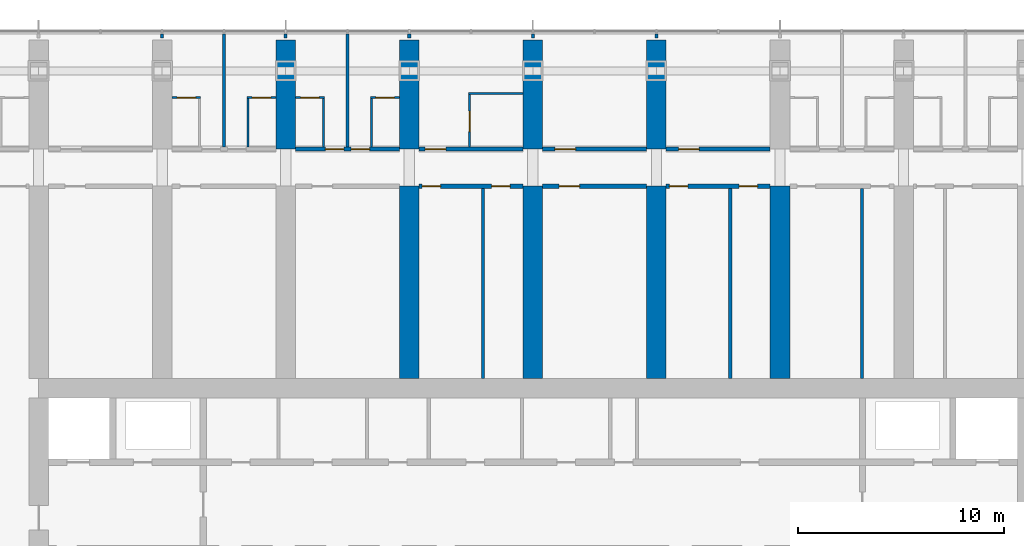
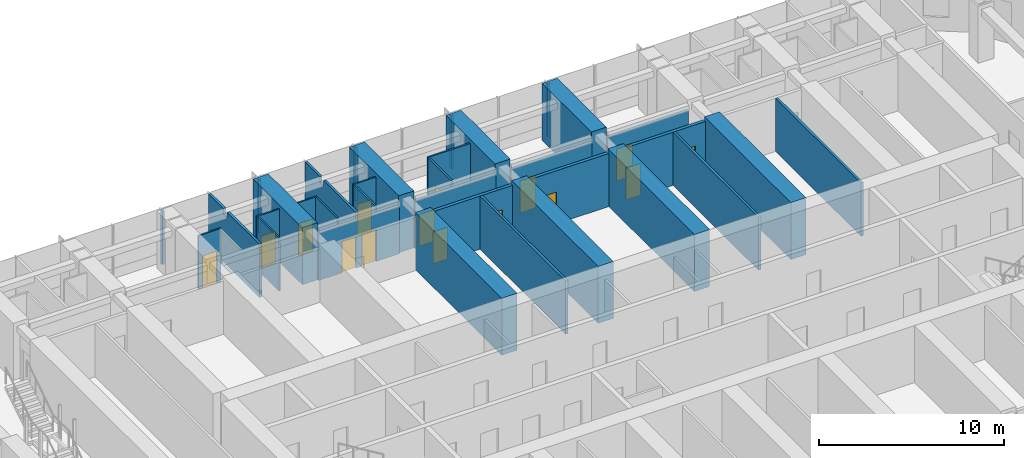
# One storey, part 16 of 25: 34 walls, 15 doors, 15 openings.
"""IFC4 building model written with IfcOpenShell, lengths in metres."""

from ifc_helpers import new_model, si_unit, direction, frame, frame_2d, origin, place, context, subcontext, project, spatial, polyline, rectangle, outline, extrude, material, layer, layer_set, type_object, element, fill, save


model = new_model("IFC4")

# Units and contexts
model_context = context("Model", 3, precision=1e-05, world=origin(), true_north=direction((0.0, 1.0)))
body_context = subcontext(model_context, "Body", "Model", "MODEL_VIEW")
ifc_project = project(units=[si_unit("LENGTHUNIT", "METRE"), si_unit("AREAUNIT", "SQUARE_METRE"), si_unit("VOLUMEUNIT", "CUBIC_METRE"), si_unit("PLANEANGLEUNIT", "RADIAN"), si_unit("MASSUNIT", "GRAM", prefix="KILO")], contexts=[model_context])

# Site, building, storey
site_placement = place(None, origin())
site = spatial("IfcSite", under=ifc_project, at=site_placement, CompositionType="ELEMENT")
building_placement = place(site_placement, origin())
building = spatial("IfcBuilding", under=site, at=building_placement, Name="Orbita Commons", CompositionType="ELEMENT")
storey_placement = place(building_placement, frame((0.0, 0.0, 84.39990234375)))
storey = spatial("IfcBuildingStorey", under=building, at=storey_placement, Name="L20", CompositionType="ELEMENT", Elevation=84.39990234375)

# Wall, openings, doors
ifc_material_1 = material(Name="Concrete blockwork", Category="masonry")
ifc_layer_1 = layer(ifc_material_1, 0.199951171875)
ifc_layer_set_1 = layer_set([ifc_layer_1], Name="Concrete blockwork")
wall_type_1 = type_object("IfcWallType", Name="Corridor wall 200 blockwork", PredefinedType="SOLIDWALL", material=ifc_layer_set_1)
wall_1_placement = place(storey_placement, frame((30.47509765625, 49.800048828125, 0.0), z_axis=(0.0, 0.0, 1.0), x_axis=(1.0, 0.0, 0.0)))
wall_1 = element("IfcWall", 1, at=wall_1_placement, inside=storey, type_object=wall_type_1, Name="Corridor wall 200 blockwork L20", PredefinedType="SOLIDWALL", context=body_context, shape_type="SweptSolid", body=[
    extrude(outline(polyline([(0.0, 0.0), (5.0498046875, 0.0), (5.050048828125, 3.10009765625), (0.0, 3.10009765625), (0.0, 0.0)])), frame((0.0, 0.10009765625, 0.0), z_axis=(0.0, -1.0, 0.0), x_axis=(1.0, 0.0, 0.0)), (0.0, 0.0, 1.0), 0.199951171875),
])
opening_1_placement = place(wall_1_placement, frame((1.449951171875, 0.0, 0.0)))
opening_1 = element("IfcOpeningElement", 2, at=opening_1_placement, cuts=wall_1, Name="Opening D11", PredefinedType="OPENING", context=body_context, shape_type="SweptSolid", body=[
    extrude(rectangle(XDim=0.89990234375, YDim=2.10009765625, at=frame_2d((0.449951171875, 1.050048828125))), frame((0.0, 0.10986328125, 0.0), z_axis=(0.0, -1.0, 0.0), x_axis=(1.0, 0.0, 0.0)), (0.0, 0.0, 1.0), 0.219970703125),
])
opening_2_placement = place(wall_1_placement, frame((2.699951171875, 0.0, 0.0)))
opening_2 = element("IfcOpeningElement", 3, at=opening_2_placement, cuts=wall_1, Name="Opening D11", PredefinedType="OPENING", context=body_context, shape_type="SweptSolid", body=[
    extrude(rectangle(XDim=0.89990234375, YDim=2.10009765625, at=frame_2d((0.449951171875, 1.050048828125))), frame((0.0, 0.10986328125, 0.0), z_axis=(0.0, -1.0, 0.0), x_axis=(1.0, 0.0, 0.0)), (0.0, 0.0, 1.0), 0.219970703125),
])
ifc_material_2 = material(Name="Steel-faced fire door leaf", Category="steel")
door_type_1 = type_object("IfcDoorType", Name="Corridor door 20 min 900x2100", OperationType="SINGLE_SWING_LEFT", PredefinedType="DOOR", material=ifc_material_2)
door_1_placement = place(opening_1_placement, origin())
door_1 = element("IfcDoor", 4, at=door_1_placement, inside=storey, type_object=door_type_1, Name="Cluster bedroom L20-N06 door", OperationType="SINGLE_SWING_LEFT", OverallHeight=2.10009765625, OverallWidth=0.89990234375, PredefinedType="DOOR", context=body_context, shape_type="SweptSolid", body=[
    extrude(rectangle(XDim=0.89990234375, YDim=2.10009765625, at=frame_2d((0.449951171875, 1.050048828125))), frame((0.0, 0.02490234375, 0.0), z_axis=(0.0, -1.0, 0.0), x_axis=(1.0, 0.0, 0.0)), (0.0, 0.0, 1.0), 0.050048828125),
])
fill(opening_1, door_1)
door_2_placement = place(opening_2_placement, origin())
door_2 = element("IfcDoor", 5, at=door_2_placement, inside=storey, type_object=door_type_1, Name="Cluster bedroom L20-N07 door", OperationType="SINGLE_SWING_LEFT", OverallHeight=2.10009765625, OverallWidth=0.89990234375, PredefinedType="DOOR", context=body_context, shape_type="SweptSolid", body=[
    extrude(rectangle(XDim=0.89990234375, YDim=2.10009765625, at=frame_2d((0.449951171875, 1.050048828125))), frame((0.0, 0.02490234375, 0.0), z_axis=(0.0, -1.0, 0.0), x_axis=(1.0, 0.0, 0.0)), (0.0, 0.0, 1.0), 0.050048828125),
])
fill(opening_2, door_2)

# Wall, opening, door
wall_2_placement = place(storey_placement, frame((36.47509765625, 49.800048828125, 0.0), z_axis=(0.0, 0.0, 1.0), x_axis=(1.0, 0.0, 0.0)))
wall_2 = element("IfcWall", 6, at=wall_2_placement, inside=storey, type_object=wall_type_1, Name="Corridor wall 200 blockwork L20", PredefinedType="SOLIDWALL", context=body_context, shape_type="SweptSolid", body=[
    extrude(outline(polyline([(0.0, 0.0), (5.0498046875, 0.0), (5.050048828125, 3.10009765625), (0.0, 3.10009765625), (0.0, 0.0)])), frame((0.0, 0.10009765625, 0.0), z_axis=(0.0, -1.0, 0.0), x_axis=(1.0, 0.0, 0.0)), (0.0, 0.0, 1.0), 0.199951171875),
])
opening_3_placement = place(wall_2_placement, frame((0.300048828125, 0.0, 0.0)))
opening_3 = element("IfcOpeningElement", 7, at=opening_3_placement, cuts=wall_2, Name="Opening D06", PredefinedType="OPENING", context=body_context, shape_type="SweptSolid", body=[
    extrude(rectangle(XDim=1.0, YDim=2.10009765625, at=frame_2d((0.5, 1.050048828125))), frame((0.0, 0.10986328125, 0.0), z_axis=(0.0, -1.0, 0.0), x_axis=(1.0, 0.0, 0.0)), (0.0, 0.0, 1.0), 0.219970703125),
])
ifc_material_3 = material(Name="Steel-faced fire door leaf", Category="steel")
door_type_2 = type_object("IfcDoorType", Name="Corridor door 20 min 1000x2100", OperationType="SINGLE_SWING_LEFT", PredefinedType="DOOR", material=ifc_material_3)
door_3_placement = place(opening_3_placement, origin())
door_3 = element("IfcDoor", 8, at=door_3_placement, inside=storey, type_object=door_type_2, Name="Accessible bedroom L20-N08 door", OperationType="SINGLE_SWING_LEFT", OverallHeight=2.10009765625, OverallWidth=1.0, PredefinedType="DOOR", context=body_context, shape_type="SweptSolid", body=[
    extrude(rectangle(XDim=1.0, YDim=2.10009765625, at=frame_2d((0.5, 1.050048828125))), frame((0.0, 0.02490234375, 0.0), z_axis=(0.0, -1.0, 0.0), x_axis=(1.0, 0.0, 0.0)), (0.0, 0.0, 1.0), 0.050048828125),
])
fill(opening_3, door_3)

wall_3_placement = place(storey_placement, frame((42.47509765625, 49.800048828125, 0.0), z_axis=(0.0, 0.0, 1.0), x_axis=(1.0, 0.0, 0.0)))
wall_3 = element("IfcWall", 9, at=wall_3_placement, inside=storey, type_object=wall_type_1, Name="Corridor wall 200 blockwork L20", PredefinedType="SOLIDWALL", context=body_context, shape_type="SweptSolid", body=[
    extrude(outline(polyline([(0.0, 0.0), (5.0498046875, 0.0), (5.050048828125, 3.10009765625), (0.0, 3.10009765625), (0.0, 0.0)])), frame((0.0, 0.10009765625, 0.0), z_axis=(0.0, -1.0, 0.0), x_axis=(1.0, 0.0, 0.0)), (0.0, 0.0, 1.0), 0.199951171875),
])
opening_4_placement = place(wall_3_placement, frame((0.60009765625, 0.0, 0.0)))
opening_4 = element("IfcOpeningElement", 10, at=opening_4_placement, cuts=wall_3, Name="Opening D06", PredefinedType="OPENING", context=body_context, shape_type="SweptSolid", body=[
    extrude(rectangle(XDim=1.0, YDim=2.10009765625, at=frame_2d((0.5, 1.050048828125))), frame((0.0, 0.10986328125, 0.0), z_axis=(0.0, -1.0, 0.0), x_axis=(1.0, 0.0, 0.0)), (0.0, 0.0, 1.0), 0.219970703125),
])
door_4_placement = place(opening_4_placement, origin())
door_4 = element("IfcDoor", 11, at=door_4_placement, inside=storey, type_object=door_type_2, Name="Sea-view lounge L20-N10 door", OperationType="SINGLE_SWING_LEFT", OverallHeight=2.10009765625, OverallWidth=1.0, PredefinedType="DOOR", context=body_context, shape_type="SweptSolid", body=[
    extrude(rectangle(XDim=1.0, YDim=2.10009765625, at=frame_2d((0.5, 1.050048828125))), frame((0.0, 0.02490234375, 0.0), z_axis=(0.0, -1.0, 0.0), x_axis=(1.0, 0.0, 0.0)), (0.0, 0.0, 1.0), 0.050048828125),
])
fill(opening_4, door_4)

wall_4_placement = place(storey_placement, frame((48.47509765625, 49.800048828125, 0.0), z_axis=(0.0, 0.0, 1.0), x_axis=(1.0, 0.0, 0.0)))
wall_4 = element("IfcWall", 12, at=wall_4_placement, inside=storey, type_object=wall_type_1, Name="Corridor wall 200 blockwork L20", PredefinedType="SOLIDWALL", context=body_context, shape_type="SweptSolid", body=[
    extrude(outline(polyline([(0.0, 0.0), (5.0498046875, 0.0), (5.050048828125, 3.10009765625), (0.0, 3.10009765625), (0.0, 0.0)])), frame((0.0, 0.10009765625, 0.0), z_axis=(0.0, -1.0, 0.0), x_axis=(1.0, 0.0, 0.0)), (0.0, 0.0, 1.0), 0.199951171875),
])
opening_5_placement = place(wall_4_placement, frame((0.60009765625, 0.0, 0.0)))
opening_5 = element("IfcOpeningElement", 13, at=opening_5_placement, cuts=wall_4, Name="Opening D06", PredefinedType="OPENING", context=body_context, shape_type="SweptSolid", body=[
    extrude(rectangle(XDim=1.0, YDim=2.10009765625, at=frame_2d((0.5, 1.050048828125))), frame((0.0, 0.10986328125, 0.0), z_axis=(0.0, -1.0, 0.0), x_axis=(1.0, 0.0, 0.0)), (0.0, 0.0, 1.0), 0.219970703125),
])
door_5_placement = place(opening_5_placement, origin())
door_5 = element("IfcDoor", 14, at=door_5_placement, inside=storey, type_object=door_type_2, Name="Cluster kitchen-diner L20-N12 door", OperationType="SINGLE_SWING_LEFT", OverallHeight=2.10009765625, OverallWidth=1.0, PredefinedType="DOOR", context=body_context, shape_type="SweptSolid", body=[
    extrude(rectangle(XDim=1.0, YDim=2.10009765625, at=frame_2d((0.5, 1.050048828125))), frame((0.0, 0.02490234375, 0.0), z_axis=(0.0, -1.0, 0.0), x_axis=(1.0, 0.0, 0.0)), (0.0, 0.0, 1.0), 0.050048828125),
])
fill(opening_5, door_5)

# Wall, openings, doors
ifc_material_4 = material(Name="Hollow concrete block 200", Category="concrete")
ifc_layer_2 = layer(ifc_material_4, 0.199951171875)
ifc_layer_set_2 = layer_set([ifc_layer_2], Name="Hollow concrete block 200")
wall_type_2 = type_object("IfcWallType", Name="Corridor wall 200 hollow concrete block", PredefinedType="SOLIDWALL", material=ifc_layer_set_2)
wall_5_placement = place(storey_placement, frame((36.47509765625, 48.0, 0.0), z_axis=(0.0, 0.0, 1.0), x_axis=(1.0, 0.0, 0.0)))
wall_5 = element("IfcWall", 15, at=wall_5_placement, inside=storey, type_object=wall_type_2, Name="Corridor wall 200 hollow concrete block L20", PredefinedType="SOLIDWALL", context=body_context, shape_type="SweptSolid", body=[
    extrude(rectangle(XDim=5.0498046875, YDim=0.199951171875, at=frame_2d((2.52490234375, 0.0))), origin(), (0.0, 0.0, 1.0), 3.5),
])
opening_6_placement = place(wall_5_placement, frame((0.14990234375, 0.0, 0.0)))
opening_6 = element("IfcOpeningElement", 16, at=opening_6_placement, cuts=wall_5, Name="Opening D11", PredefinedType="OPENING", context=body_context, shape_type="SweptSolid", body=[
    extrude(rectangle(XDim=0.89990234375, YDim=2.10009765625, at=frame_2d((0.449951171875, 1.050048828125))), frame((0.0, 0.10986328125, 0.0), z_axis=(0.0, -1.0, 0.0), x_axis=(1.0, 0.0, 0.0)), (0.0, 0.0, 1.0), 0.219970703125),
])
opening_7_placement = place(wall_5_placement, frame((3.52490234375, 0.0, 0.0)))
opening_7 = element("IfcOpeningElement", 17, at=opening_7_placement, cuts=wall_5, Name="Opening D11", PredefinedType="OPENING", context=body_context, shape_type="SweptSolid", body=[
    extrude(rectangle(XDim=0.89990234375, YDim=2.10009765625, at=frame_2d((0.449951171875, 1.050048828125))), frame((0.0, 0.10986328125, 0.0), z_axis=(0.0, -1.0, 0.0), x_axis=(1.0, 0.0, 0.0)), (0.0, 0.0, 1.0), 0.219970703125),
])
door_6_placement = place(opening_6_placement, origin())
door_6 = element("IfcDoor", 18, at=door_6_placement, inside=storey, type_object=door_type_1, Name="Furniture store L20-BDN36 door", OperationType="SINGLE_SWING_LEFT", OverallHeight=2.10009765625, OverallWidth=0.89990234375, PredefinedType="DOOR", context=body_context, shape_type="SweptSolid", body=[
    extrude(rectangle(XDim=0.89990234375, YDim=2.10009765625, at=frame_2d((0.449951171875, 1.050048828125))), frame((0.0, 0.02490234375, 0.0), z_axis=(0.0, -1.0, 0.0), x_axis=(1.0, 0.0, 0.0)), (0.0, 0.0, 1.0), 0.050048828125),
])
fill(opening_6, door_6)
door_7_placement = place(opening_7_placement, origin())
door_7 = element("IfcDoor", 19, at=door_7_placement, inside=storey, type_object=door_type_1, Name="Battery and UPS room L20-BDN36n door", OperationType="SINGLE_SWING_LEFT", OverallHeight=2.10009765625, OverallWidth=0.89990234375, PredefinedType="DOOR", context=body_context, shape_type="SweptSolid", body=[
    extrude(rectangle(XDim=0.89990234375, YDim=2.10009765625, at=frame_2d((0.449951171875, 1.050048828125))), frame((0.0, 0.02490234375, 0.0), z_axis=(0.0, -1.0, 0.0), x_axis=(1.0, 0.0, 0.0)), (0.0, 0.0, 1.0), 0.050048828125),
])
fill(opening_7, door_7)

# Wall, opening, door
wall_6_placement = place(storey_placement, frame((42.47509765625, 48.0, 0.0), z_axis=(0.0, 0.0, 1.0), x_axis=(1.0, 0.0, 0.0)))
wall_6 = element("IfcWall", 20, at=wall_6_placement, inside=storey, type_object=wall_type_2, Name="Corridor wall 200 hollow concrete block L20", PredefinedType="SOLIDWALL", context=body_context, shape_type="SweptSolid", body=[
    extrude(rectangle(XDim=5.0498046875, YDim=0.199951171875, at=frame_2d((2.52490234375, 0.0))), origin(), (0.0, 0.0, 1.0), 3.5),
])
opening_8_placement = place(wall_6_placement, frame((0.800048828125, 0.0, 0.0)))
opening_8 = element("IfcOpeningElement", 21, at=opening_8_placement, cuts=wall_6, Name="Opening D06", PredefinedType="OPENING", context=body_context, shape_type="SweptSolid", body=[
    extrude(rectangle(XDim=1.0, YDim=2.10009765625, at=frame_2d((0.5, 1.050048828125))), frame((0.0, 0.10986328125, 0.0), z_axis=(0.0, -1.0, 0.0), x_axis=(1.0, 0.0, 0.0)), (0.0, 0.0, 1.0), 0.219970703125),
])
door_8_placement = place(opening_8_placement, origin())
door_8 = element("IfcDoor", 22, at=door_8_placement, inside=storey, type_object=door_type_2, Name="Store L20-BDN42 door", OperationType="SINGLE_SWING_LEFT", OverallHeight=2.10009765625, OverallWidth=1.0, PredefinedType="DOOR", context=body_context, shape_type="SweptSolid", body=[
    extrude(rectangle(XDim=1.0, YDim=2.10009765625, at=frame_2d((0.5, 1.050048828125))), frame((0.0, 0.02490234375, 0.0), z_axis=(0.0, -1.0, 0.0), x_axis=(1.0, 0.0, 0.0)), (0.0, 0.0, 1.0), 0.050048828125),
])
fill(opening_8, door_8)

# Wall, openings, doors
wall_7_placement = place(storey_placement, frame((48.47509765625, 48.0, 0.0), z_axis=(0.0, 0.0, 1.0), x_axis=(1.0, 0.0, 0.0)))
wall_7 = element("IfcWall", 23, at=wall_7_placement, inside=storey, type_object=wall_type_2, Name="Corridor wall 200 hollow concrete block L20", PredefinedType="SOLIDWALL", context=body_context, shape_type="SweptSolid", body=[
    extrude(rectangle(XDim=5.0498046875, YDim=0.199951171875, at=frame_2d((2.52490234375, 0.0))), origin(), (0.0, 0.0, 1.0), 3.5),
])
opening_9_placement = place(wall_7_placement, frame((0.14990234375, 0.0, 0.0)))
opening_9 = element("IfcOpeningElement", 24, at=opening_9_placement, cuts=wall_7, Name="Opening D11", PredefinedType="OPENING", context=body_context, shape_type="SweptSolid", body=[
    extrude(rectangle(XDim=0.89990234375, YDim=2.10009765625, at=frame_2d((0.449951171875, 1.050048828125))), frame((0.0, 0.10986328125, 0.0), z_axis=(0.0, -1.0, 0.0), x_axis=(1.0, 0.0, 0.0)), (0.0, 0.0, 1.0), 0.219970703125),
])
opening_10_placement = place(wall_7_placement, frame((3.534912109375, 0.0, 0.0)))
opening_10 = element("IfcOpeningElement", 25, at=opening_10_placement, cuts=wall_7, Name="Opening D11", PredefinedType="OPENING", context=body_context, shape_type="SweptSolid", body=[
    extrude(rectangle(XDim=0.89990234375, YDim=2.10009765625, at=frame_2d((0.449951171875, 1.050048828125))), frame((0.0, 0.10986328125, 0.0), z_axis=(0.0, -1.0, 0.0), x_axis=(1.0, 0.0, 0.0)), (0.0, 0.0, 1.0), 0.219970703125),
])
door_9_placement = place(opening_9_placement, origin())
door_9 = element("IfcDoor", 26, at=door_9_placement, inside=storey, type_object=door_type_1, Name="Bulk and luggage store L20-BDN48 door", OperationType="SINGLE_SWING_LEFT", OverallHeight=2.10009765625, OverallWidth=0.89990234375, PredefinedType="DOOR", context=body_context, shape_type="SweptSolid", body=[
    extrude(rectangle(XDim=0.89990234375, YDim=2.10009765625, at=frame_2d((0.449951171875, 1.050048828125))), frame((0.0, 0.02490234375, 0.0), z_axis=(0.0, -1.0, 0.0), x_axis=(1.0, 0.0, 0.0)), (0.0, 0.0, 1.0), 0.050048828125),
])
fill(opening_9, door_9)
door_10_placement = place(opening_10_placement, origin())
door_10 = element("IfcDoor", 27, at=door_10_placement, inside=storey, type_object=door_type_1, Name="Sprinkler valve room L20-BDN48n door", OperationType="SINGLE_SWING_LEFT", OverallHeight=2.10009765625, OverallWidth=0.89990234375, PredefinedType="DOOR", context=body_context, shape_type="SweptSolid", body=[
    extrude(rectangle(XDim=0.89990234375, YDim=2.10009765625, at=frame_2d((0.449951171875, 1.050048828125))), frame((0.0, 0.02490234375, 0.0), z_axis=(0.0, -1.0, 0.0), x_axis=(1.0, 0.0, 0.0)), (0.0, 0.0, 1.0), 0.050048828125),
])
fill(opening_10, door_10)

# Walls
ifc_material_5 = material(Name="Concrete C50/60", Category="concrete")
ifc_layer_3 = layer(ifc_material_5, 0.949951171875)
ifc_layer_set_3 = layer_set([ifc_layer_3], Name="Concrete C50/60")
wall_type_3 = type_object("IfcWallType", Name="Cross wall 950 C50/60", PredefinedType="SHEAR", material=ifc_layer_set_3)
for number, where, z_axis, x_axis, name in (
    (28, (30.0, 49.800048828125, 0.0), (0.0, 0.0, 1.0), (0.0, 1.0, 0.0), "Cross wall 6 north outer L20"),
    (29, (36.0, 49.800048828125, 0.0), (0.0, 0.0, 1.0), (0.0, 1.0, 0.0), "Cross wall 7 north outer L20"),
):
    element("IfcWall", number, at=place(storey_placement, frame(where, z_axis=z_axis, x_axis=x_axis)), inside=storey, type_object=wall_type_3, Name=name, PredefinedType="SHEAR", context=body_context, shape_type="SweptSolid", body=[
        extrude(rectangle(XDim=5.300048828125, YDim=0.949951171875, at=frame_2d((2.64990234375, 0.0))), origin(), (0.0, 0.0, 1.0), 3.75),
    ])
wall_8_placement = place(storey_placement, frame((36.0, 38.675048828125, 0.0), z_axis=(0.0, 0.0, 1.0), x_axis=(0.0, 1.0, 0.0)))
element("IfcWall", 30, at=wall_8_placement, inside=storey, type_object=wall_type_3, Name="Cross wall 7 north inner L20", PredefinedType="SHEAR", context=body_context, shape_type="SweptSolid", body=[
    extrude(rectangle(XDim=9.324951171875, YDim=0.949951171875, at=frame_2d((4.66259765625, 0.0))), origin(), (0.0, 0.0, 1.0), 3.75),
])
wall_9_placement = place(storey_placement, frame((42.0, 49.800048828125, 0.0), z_axis=(0.0, 0.0, 1.0), x_axis=(0.0, 1.0, 0.0)))
element("IfcWall", 31, at=wall_9_placement, inside=storey, type_object=wall_type_3, Name="Cross wall 8 north outer L20", PredefinedType="SHEAR", context=body_context, shape_type="SweptSolid", body=[
    extrude(rectangle(XDim=5.300048828125, YDim=0.949951171875, at=frame_2d((2.64990234375, 0.0))), origin(), (0.0, 0.0, 1.0), 3.75),
])
wall_10_placement = place(storey_placement, frame((42.0, 38.675048828125, 0.0), z_axis=(0.0, 0.0, 1.0), x_axis=(0.0, 1.0, 0.0)))
element("IfcWall", 32, at=wall_10_placement, inside=storey, type_object=wall_type_3, Name="Cross wall 8 north inner L20", PredefinedType="SHEAR", context=body_context, shape_type="SweptSolid", body=[
    extrude(rectangle(XDim=9.324951171875, YDim=0.949951171875, at=frame_2d((4.66259765625, 0.0))), origin(), (0.0, 0.0, 1.0), 3.75),
])
wall_11_placement = place(storey_placement, frame((48.0, 49.800048828125, 0.0), z_axis=(0.0, 0.0, 1.0), x_axis=(0.0, 1.0, 0.0)))
element("IfcWall", 33, at=wall_11_placement, inside=storey, type_object=wall_type_3, Name="Cross wall 9 north outer L20", PredefinedType="SHEAR", context=body_context, shape_type="SweptSolid", body=[
    extrude(rectangle(XDim=5.300048828125, YDim=0.949951171875, at=frame_2d((2.64990234375, 0.0))), origin(), (0.0, 0.0, 1.0), 3.75),
])
for number, where, z_axis, x_axis, name in (
    (34, (48.0, 38.675048828125, 0.0), (0.0, 0.0, 1.0), (0.0, 1.0, 0.0), "Cross wall 9 north inner L20"),
    (35, (54.0, 38.675048828125, 0.0), (0.0, 0.0, 1.0), (0.0, 1.0, 0.0), "Cross wall 10 north inner L20"),
):
    element("IfcWall", number, at=place(storey_placement, frame(where, z_axis=z_axis, x_axis=x_axis)), inside=storey, type_object=wall_type_3, Name=name, PredefinedType="SHEAR", context=body_context, shape_type="SweptSolid", body=[
        extrude(rectangle(XDim=9.324951171875, YDim=0.949951171875, at=frame_2d((4.66259765625, 0.0))), origin(), (0.0, 0.0, 1.0), 3.75),
    ])

# Wall, opening, door
ifc_material_6 = material(Name="Moisture-resistant plasterboard on steel studs", Category="steel")
ifc_layer_4 = layer(ifc_material_6, 0.10009765625)
ifc_layer_set_4 = layer_set([ifc_layer_4], Name="Moisture-resistant plasterboard on steel studs")
wall_type_4 = type_object("IfcWallType", Name="En-suite partition 100", PredefinedType="PARTITIONING", material=ifc_layer_set_4)
wall_12_placement = place(storey_placement, frame((24.47509765625, 52.300048828125, 0.0), z_axis=(0.0, 0.0, 1.0), x_axis=(1.0, 0.0, 0.0)))
wall_12 = element("IfcWall", 36, at=wall_12_placement, inside=storey, type_object=wall_type_4, Name="En-suite partition 100 L20", PredefinedType="PARTITIONING", context=body_context, shape_type="SweptSolid", body=[
    extrude(rectangle(XDim=1.39990234375, YDim=0.10009765625, at=frame_2d((0.699951171875, 0.0))), origin(), (0.0, 0.0, 1.0), 3.5),
])
opening_11_placement = place(wall_12_placement, frame((0.25, 0.0, 0.0)))
opening_11 = element("IfcOpeningElement", 37, at=opening_11_placement, cuts=wall_12, Name="Opening D09", PredefinedType="OPENING", context=body_context, shape_type="SweptSolid", body=[
    extrude(rectangle(XDim=0.89990234375, YDim=2.10009765625, at=frame_2d((0.449951171875, 1.050048828125))), frame((0.0, 0.06005859375, 0.0), z_axis=(0.0, -1.0, 0.0), x_axis=(1.0, 0.0, 0.0)), (0.0, 0.0, 1.0), 0.1201171875),
])
ifc_material_7 = material(Name="Laminated timber door leaf", Category="wood")
door_type_3 = type_object("IfcDoorType", Name="En-suite door 900x2100", OperationType="SINGLE_SWING_RIGHT", PredefinedType="DOOR", material=ifc_material_7)
door_11_placement = place(opening_11_placement, origin())
door_11 = element("IfcDoor", 38, at=door_11_placement, inside=storey, type_object=door_type_3, Name="En-suite L20-N04 door", OperationType="SINGLE_SWING_RIGHT", OverallHeight=2.10009765625, OverallWidth=0.89990234375, PredefinedType="DOOR", context=body_context, shape_type="SweptSolid", body=[
    extrude(rectangle(XDim=0.89990234375, YDim=2.10009765625, at=frame_2d((0.449951171875, 1.050048828125))), frame((0.0, 0.02490234375, 0.0), z_axis=(0.0, -1.0, 0.0), x_axis=(1.0, 0.0, 0.0)), (0.0, 0.0, 1.0), 0.050048828125),
])
fill(opening_11, door_11)

wall_13_placement = place(storey_placement, frame((28.125, 52.300048828125, 0.0), z_axis=(0.0, 0.0, 1.0), x_axis=(1.0, 0.0, 0.0)))
wall_13 = element("IfcWall", 39, at=wall_13_placement, inside=storey, type_object=wall_type_4, Name="En-suite partition 100 L20", PredefinedType="PARTITIONING", context=body_context, shape_type="SweptSolid", body=[
    extrude(rectangle(XDim=1.39990234375, YDim=0.10009765625, at=frame_2d((0.699951171875, 0.0))), origin(), (0.0, 0.0, 1.0), 3.5),
])
opening_12_placement = place(wall_13_placement, frame((0.25, 0.0, 0.0)))
opening_12 = element("IfcOpeningElement", 40, at=opening_12_placement, cuts=wall_13, Name="Opening D09", PredefinedType="OPENING", context=body_context, shape_type="SweptSolid", body=[
    extrude(rectangle(XDim=0.89990234375, YDim=2.10009765625, at=frame_2d((0.449951171875, 1.050048828125))), frame((0.0, 0.06005859375, 0.0), z_axis=(0.0, -1.0, 0.0), x_axis=(1.0, 0.0, 0.0)), (0.0, 0.0, 1.0), 0.1201171875),
])
door_12_placement = place(opening_12_placement, origin())
door_12 = element("IfcDoor", 41, at=door_12_placement, inside=storey, type_object=door_type_3, Name="En-suite L20-N05 door", OperationType="SINGLE_SWING_RIGHT", OverallHeight=2.10009765625, OverallWidth=0.89990234375, PredefinedType="DOOR", context=body_context, shape_type="SweptSolid", body=[
    extrude(rectangle(XDim=0.89990234375, YDim=2.10009765625, at=frame_2d((0.449951171875, 1.050048828125))), frame((0.0, 0.02490234375, 0.0), z_axis=(0.0, -1.0, 0.0), x_axis=(1.0, 0.0, 0.0)), (0.0, 0.0, 1.0), 0.050048828125),
])
fill(opening_12, door_12)

# Wall
wall_14_placement = place(storey_placement, frame((28.175048828125, 52.25, 0.0), z_axis=(0.0, 0.0, 1.0), x_axis=(0.0, -1.0, 0.0)))
element("IfcWall", 42, at=wall_14_placement, inside=storey, type_object=wall_type_4, Name="En-suite partition 100 L20", PredefinedType="PARTITIONING", context=body_context, shape_type="SweptSolid", body=[
    extrude(outline(polyline([(0.0, 0.0), (2.35009765625, 0.0), (2.35009765625, 3.10009765625), (2.302001953125, 3.10009765625), (2.300048828125, 3.5), (0.0, 3.5), (0.0, 0.0)])), frame((0.0, 0.050048828125, 0.0), z_axis=(0.0, -1.0, 0.0), x_axis=(1.0, 0.0, 0.0)), (0.0, 0.0, 1.0), 0.10009765625),
])

# Wall, opening, door
wall_15_placement = place(storey_placement, frame((30.47509765625, 52.300048828125, 0.0), z_axis=(0.0, 0.0, 1.0), x_axis=(1.0, 0.0, 0.0)))
wall_15 = element("IfcWall", 43, at=wall_15_placement, inside=storey, type_object=wall_type_4, Name="En-suite partition 100 L20", PredefinedType="PARTITIONING", context=body_context, shape_type="SweptSolid", body=[
    extrude(rectangle(XDim=1.39990234375, YDim=0.10009765625, at=frame_2d((0.699951171875, 0.0))), origin(), (0.0, 0.0, 1.0), 3.5),
])
opening_13_placement = place(wall_15_placement, frame((0.25, 0.0, 0.0)))
opening_13 = element("IfcOpeningElement", 44, at=opening_13_placement, cuts=wall_15, Name="Opening D09", PredefinedType="OPENING", context=body_context, shape_type="SweptSolid", body=[
    extrude(rectangle(XDim=0.89990234375, YDim=2.10009765625, at=frame_2d((0.449951171875, 1.050048828125))), frame((0.0, 0.06005859375, 0.0), z_axis=(0.0, -1.0, 0.0), x_axis=(1.0, 0.0, 0.0)), (0.0, 0.0, 1.0), 0.1201171875),
])
door_13_placement = place(opening_13_placement, origin())
door_13 = element("IfcDoor", 45, at=door_13_placement, inside=storey, type_object=door_type_3, Name="En-suite L20-N06 door", OperationType="SINGLE_SWING_RIGHT", OverallHeight=2.10009765625, OverallWidth=0.89990234375, PredefinedType="DOOR", context=body_context, shape_type="SweptSolid", body=[
    extrude(rectangle(XDim=0.89990234375, YDim=2.10009765625, at=frame_2d((0.449951171875, 1.050048828125))), frame((0.0, 0.02490234375, 0.0), z_axis=(0.0, -1.0, 0.0), x_axis=(1.0, 0.0, 0.0)), (0.0, 0.0, 1.0), 0.050048828125),
])
fill(opening_13, door_13)

# Wall
wall_16_placement = place(storey_placement, frame((31.824951171875, 52.25, 0.0), z_axis=(0.0, 0.0, 1.0), x_axis=(0.0, -1.0, 0.0)))
element("IfcWall", 46, at=wall_16_placement, inside=storey, type_object=wall_type_4, Name="En-suite partition 100 L20", PredefinedType="PARTITIONING", context=body_context, shape_type="SweptSolid", body=[
    extrude(outline(polyline([(0.0, 0.0), (2.35009765625, 0.0), (2.35009765625, 3.10009765625), (2.302001953125, 3.10009765625), (2.300048828125, 3.5), (0.0, 3.5), (0.0, 0.0)])), frame((0.0, 0.050048828125, 0.0), z_axis=(0.0, -1.0, 0.0), x_axis=(1.0, 0.0, 0.0)), (0.0, 0.0, 1.0), 0.10009765625),
])

# Wall, opening, door
wall_17_placement = place(storey_placement, frame((34.125, 52.300048828125, 0.0), z_axis=(0.0, 0.0, 1.0), x_axis=(1.0, 0.0, 0.0)))
wall_17 = element("IfcWall", 47, at=wall_17_placement, inside=storey, type_object=wall_type_4, Name="En-suite partition 100 L20", PredefinedType="PARTITIONING", context=body_context, shape_type="SweptSolid", body=[
    extrude(rectangle(XDim=1.39990234375, YDim=0.10009765625, at=frame_2d((0.699951171875, 0.0))), origin(), (0.0, 0.0, 1.0), 3.5),
])
opening_14_placement = place(wall_17_placement, frame((0.25, 0.0, 0.0)))
opening_14 = element("IfcOpeningElement", 48, at=opening_14_placement, cuts=wall_17, Name="Opening D09", PredefinedType="OPENING", context=body_context, shape_type="SweptSolid", body=[
    extrude(rectangle(XDim=0.89990234375, YDim=2.10009765625, at=frame_2d((0.449951171875, 1.050048828125))), frame((0.0, 0.06005859375, 0.0), z_axis=(0.0, -1.0, 0.0), x_axis=(1.0, 0.0, 0.0)), (0.0, 0.0, 1.0), 0.1201171875),
])
door_14_placement = place(opening_14_placement, origin())
door_14 = element("IfcDoor", 49, at=door_14_placement, inside=storey, type_object=door_type_3, Name="En-suite L20-N07 door", OperationType="SINGLE_SWING_RIGHT", OverallHeight=2.10009765625, OverallWidth=0.89990234375, PredefinedType="DOOR", context=body_context, shape_type="SweptSolid", body=[
    extrude(rectangle(XDim=0.89990234375, YDim=2.10009765625, at=frame_2d((0.449951171875, 1.050048828125))), frame((0.0, 0.02490234375, 0.0), z_axis=(0.0, -1.0, 0.0), x_axis=(1.0, 0.0, 0.0)), (0.0, 0.0, 1.0), 0.050048828125),
])
fill(opening_14, door_14)

# Walls
wall_18_placement = place(storey_placement, frame((34.175048828125, 52.25, 0.0), z_axis=(0.0, 0.0, 1.0), x_axis=(0.0, -1.0, 0.0)))
element("IfcWall", 50, at=wall_18_placement, inside=storey, type_object=wall_type_4, Name="En-suite partition 100 L20", PredefinedType="PARTITIONING", context=body_context, shape_type="SweptSolid", body=[
    extrude(outline(polyline([(0.0, 0.0), (2.35009765625, 0.0), (2.35009765625, 3.10009765625), (2.302001953125, 3.10009765625), (2.300048828125, 3.5), (0.0, 3.5), (0.0, 0.0)])), frame((0.0, 0.050048828125, 0.0), z_axis=(0.0, -1.0, 0.0), x_axis=(1.0, 0.0, 0.0)), (0.0, 0.0, 1.0), 0.10009765625),
])
wall_19_placement = place(storey_placement, frame((38.875, 52.5, 0.0), z_axis=(0.0, 0.0, 1.0), x_axis=(1.0, 0.0, 0.0)))
element("IfcWall", 51, at=wall_19_placement, inside=storey, type_object=wall_type_4, Name="En-suite partition 100 L20", PredefinedType="PARTITIONING", context=body_context, shape_type="SweptSolid", body=[
    extrude(rectangle(XDim=2.64990234375, YDim=0.10009765625, at=frame_2d((1.324951171875, 0.0))), origin(), (0.0, 0.0, 1.0), 3.5),
])

# Wall, opening, door
wall_20_placement = place(storey_placement, frame((38.925048828125, 52.449951171875, 0.0), z_axis=(0.0, 0.0, 1.0), x_axis=(0.0, -1.0, 0.0)))
wall_20 = element("IfcWall", 52, at=wall_20_placement, inside=storey, type_object=wall_type_4, Name="En-suite partition 100 L20", PredefinedType="PARTITIONING", context=body_context, shape_type="SweptSolid", body=[
    extrude(outline(polyline([(0.0, 0.0), (2.550048828125, 0.0), (2.550048828125, 3.10009765625), (2.501953125, 3.10009765625), (2.5, 3.5), (0.0, 3.5), (0.0, 0.0)])), frame((0.0, 0.050048828125, 0.0), z_axis=(0.0, -1.0, 0.0), x_axis=(1.0, 0.0, 0.0)), (0.0, 0.0, 1.0), 0.10009765625),
])
opening_15_placement = place(wall_20_placement, frame((0.800048828125, 0.0, 0.0)))
opening_15 = element("IfcOpeningElement", 53, at=opening_15_placement, cuts=wall_20, Name="Opening D13", PredefinedType="OPENING", context=body_context, shape_type="SweptSolid", body=[
    extrude(rectangle(XDim=1.0, YDim=2.10009765625, at=frame_2d((0.5, 1.050048828125))), frame((0.0, 0.06005859375, 0.0), z_axis=(0.0, -1.0, 0.0), x_axis=(1.0, 0.0, 0.0)), (0.0, 0.0, 1.0), 0.1201171875),
])
ifc_material_8 = material(Name="Laminated timber door leaf", Category="wood")
door_type_4 = type_object("IfcDoorType", Name="En-suite door 1000x2100", OperationType="SINGLE_SWING_RIGHT", PredefinedType="DOOR", material=ifc_material_8)
door_15_placement = place(opening_15_placement, origin())
door_15 = element("IfcDoor", 54, at=door_15_placement, inside=storey, type_object=door_type_4, Name="Accessible shower room L20-N08 door", OperationType="SINGLE_SWING_RIGHT", OverallHeight=2.10009765625, OverallWidth=1.0, PredefinedType="DOOR", context=body_context, shape_type="SweptSolid", body=[
    extrude(rectangle(XDim=1.0, YDim=2.10009765625, at=frame_2d((0.5, 1.050048828125))), frame((0.0, 0.02490234375, 0.0), z_axis=(0.0, -1.0, 0.0), x_axis=(1.0, 0.0, 0.0)), (0.0, 0.0, 1.0), 0.050048828125),
])
fill(opening_15, door_15)

# Walls
ifc_material_9 = material(Name="Gypsum plasterboard on steel studs", Category="steel")
ifc_layer_5 = layer(ifc_material_9, 0.14990234375)
ifc_layer_set_5 = layer_set([ifc_layer_5], Name="Gypsum plasterboard on steel studs")
wall_type_5 = type_object("IfcWallType", Name="Partition 150 plasterboard", PredefinedType="PARTITIONING", material=ifc_layer_set_5)
for number, where, z_axis, x_axis, name in (
    (55, (39.574951171875, 38.675048828125, 0.0), (0.0, 0.0, 1.0), (0.0, 1.0, 0.0), "Partition 150 plasterboard L20"),
    (56, (51.5849609375, 38.675048828125, 0.0), (0.0, 0.0, 1.0), (0.0, 1.0, 0.0), "Partition 150 plasterboard L20"),
    (57, (57.97509765625, 38.675048828125, 0.0), (0.0, 0.0, 1.0), (0.0, 1.0, 0.0), "Partition 150 plasterboard L20"),
):
    element("IfcWall", number, at=place(storey_placement, frame(where, z_axis=z_axis, x_axis=x_axis)), inside=storey, type_object=wall_type_5, Name=name, PredefinedType="PARTITIONING", context=body_context, shape_type="SweptSolid", body=[
        extrude(rectangle(XDim=9.224853515625, YDim=0.14990234375, at=frame_2d((4.6123046875, 0.0))), origin(), (0.0, 0.0, 1.0), 3.5),
    ])
for number, where, z_axis, x_axis, name in (
    (58, (24.0, 55.199951171875, 0.0), (0.0, 0.0, 1.0), (0.0, 1.0, 0.0), "Partition 150 plasterboard L20"),
    (59, (30.0, 55.199951171875, 0.0), (0.0, 0.0, 1.0), (0.0, 1.0, 0.0), "Partition 150 plasterboard L20"),
    (60, (36.0, 55.199951171875, 0.0), (0.0, 0.0, 1.0), (0.0, 1.0, 0.0), "Partition 150 plasterboard L20"),
    (61, (42.0, 55.199951171875, 0.0), (0.0, 0.0, 1.0), (0.0, 1.0, 0.0), "Partition 150 plasterboard L20"),
    (62, (48.0, 55.199951171875, 0.0), (0.0, 0.0, 1.0), (0.0, 1.0, 0.0), "Partition 150 plasterboard L20"),
):
    element("IfcWall", number, at=place(storey_placement, frame(where, z_axis=z_axis, x_axis=x_axis)), inside=storey, type_object=wall_type_5, Name=name, PredefinedType="PARTITIONING", context=body_context, shape_type="SweptSolid", body=[
        extrude(rectangle(XDim=0.18994140625, YDim=0.14990234375, at=frame_2d((0.094970703125, 0.0))), origin(), (0.0, 0.0, 1.0), 3.5),
    ])
ifc_material_10 = material(Name="Gypsum plasterboard on steel studs", Category="steel")
ifc_layer_6 = layer(ifc_material_10, 0.14990234375)
ifc_layer_set_6 = layer_set([ifc_layer_6], Name="Gypsum plasterboard on steel studs")
wall_type_6 = type_object("IfcWallType", Name="Party wall 150 plasterboard", PredefinedType="PARTITIONING", material=ifc_layer_set_6)
for number, where, z_axis, x_axis, name in (
    (63, (27.0, 55.389892578125, 0.0), (0.0, 0.0, 1.0), (0.0, -1.0, 0.0), "Party wall 150 plasterboard L20"),
    (64, (33.0, 55.389892578125, 0.0), (0.0, 0.0, 1.0), (0.0, -1.0, 0.0), "Party wall 150 plasterboard L20"),
):
    element("IfcWall", number, at=place(storey_placement, frame(where, z_axis=z_axis, x_axis=x_axis)), inside=storey, type_object=wall_type_6, Name=name, PredefinedType="PARTITIONING", context=body_context, shape_type="SweptSolid", body=[
        extrude(outline(polyline([(0.0, 0.0), (5.489990234375, 0.0), (5.489990234375, 3.10009765625), (5.44189453125, 3.10009765625), (5.43994140625, 3.5), (1.991943359375, 3.5), (1.989990234375, 3.10009765625), (1.592041015625, 3.10009765625), (1.590087890625, 3.5), (0.0, 3.5), (0.0, 0.0)])), frame((0.0, 0.074951171875, 0.0), z_axis=(0.0, -1.0, 0.0), x_axis=(1.0, 0.0, 0.0)), (0.0, 0.0, 1.0), 0.14990234375),
    ])

save(model, "model.ifc")
